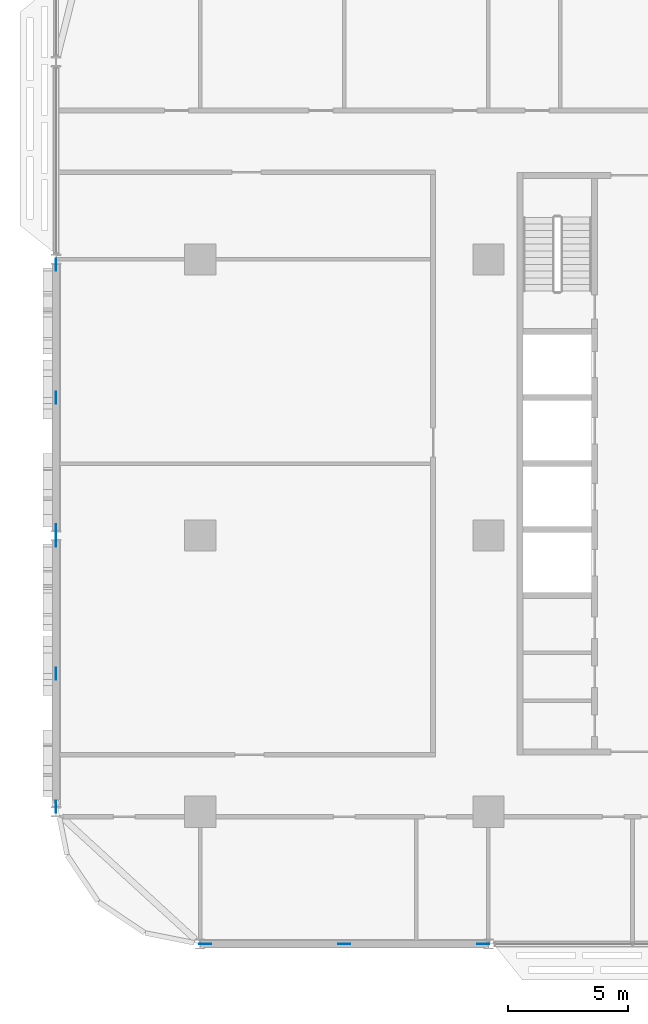
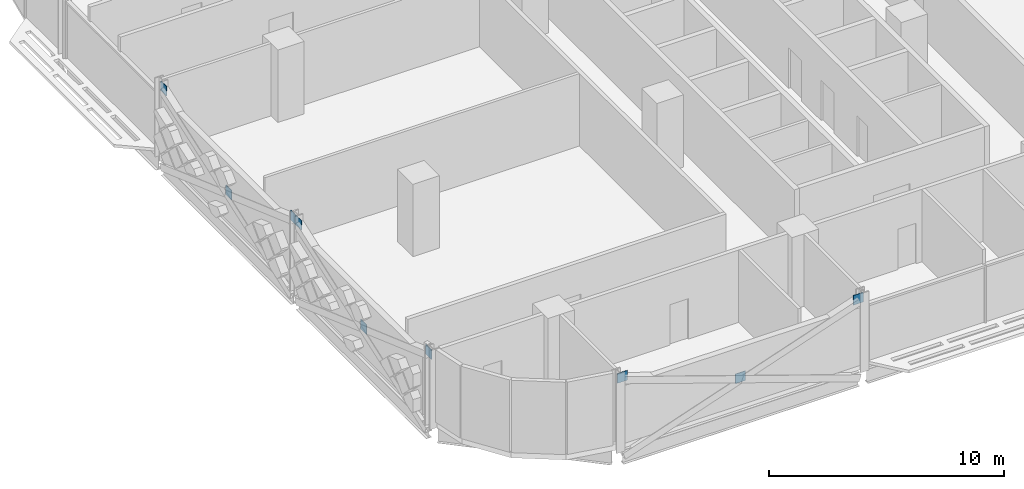
# One storey, part 20 of 29: 9 discrete accessories.
"""IFC4 building model written with IfcOpenShell, lengths in metres."""

import ifcopenshell
import ifcopenshell.guid

model = None  # the IFC model being written
_history = None  # IfcOwnerHistory: only IFC2X3 demands one
_inside = {}  # id of a spatial element -> (the spatial element, [elements in it])
_under = {}  # id of a project, library or spatial element -> (it, [spatial elements below it])
_declared = {}  # id of a project -> (the project, [libraries it declares])
_typed = {}  # id of a type object -> (the type object, [elements of that type])
_made_of = {}  # id of a material, layer set ... -> (it, [elements and type objects made of it])


def new_model(schema):
    """Start an empty IFC model of exactly this schema.

    Asked for "IFC4X3", IfcOpenShell would pick the latest addendum, in which some entities
    have other attributes; the version numbers below select the first issue.
    IFC2X3 requires an IfcOwnerHistory on every rooted entity: one is made here for all.
    """
    global model, _history
    if schema == "IFC4X3":
        model = ifcopenshell.file(schema_version=(4, 3, 0, 0))
    else:
        model = ifcopenshell.file(schema=schema)
    _inside.clear()
    _under.clear()
    _declared.clear()
    _typed.clear()
    _made_of.clear()
    _history = None
    if model.schema == "IFC2X3":
        org = make("IfcOrganization", Name="unknown")
        user = make(
            "IfcPersonAndOrganization",
            ThePerson=make("IfcPerson", FamilyName="unknown"),
            TheOrganization=org,
        )
        app = make(
            "IfcApplication",
            ApplicationDeveloper=org,
            Version="unknown",
            ApplicationFullName="unknown",
            ApplicationIdentifier="unknown",
        )
        _history = make(
            "IfcOwnerHistory",
            OwningUser=user,
            OwningApplication=app,
            ChangeAction="ADDED",
            CreationDate=0,
        )
    return model


def make(cls, **values):
    """One entity of the class cls with the attributes given. An attribute that is None is left unset."""
    return model.create_entity(
        cls, **{name: value for name, value in values.items() if value is not None}
    )


def rooted(cls, **values):
    """An entity with a GlobalId (a new one), such as an element, a storey or a relation."""
    return make(cls, GlobalId=ifcopenshell.guid.new(), OwnerHistory=_history, **values)


def si_unit(unit_type, name, prefix=None):
    """IfcSIUnit, for example si_unit("LENGTHUNIT", "METRE", prefix="MILLI")."""
    return make("IfcSIUnit", UnitType=unit_type, Prefix=prefix, Name=name)


def assignment(units):
    """IfcUnitAssignment: the units of a project."""
    return None if units is None else make("IfcUnitAssignment", Units=units)


def point(xyz):
    """IfcCartesianPoint."""
    return None if xyz is None else make("IfcCartesianPoint", Coordinates=xyz)


def direction(xyz):
    """IfcDirection."""
    return None if xyz is None else make("IfcDirection", DirectionRatios=xyz)


def frame(location, z_axis=None, x_axis=None):
    """IfcAxis2Placement3D, a coordinate frame: its origin and axes. An axis left out is left unset."""
    return make(
        "IfcAxis2Placement3D",
        Location=point(location),
        Axis=direction(z_axis),
        RefDirection=direction(x_axis),
    )


def frame_2d(location, x_axis=None):
    """IfcAxis2Placement2D, a coordinate frame in the plane: its origin and x axis."""
    return make(
        "IfcAxis2Placement2D", Location=point(location), RefDirection=direction(x_axis)
    )


def origin():
    """The frame at (0, 0, 0) with its axes left unset."""
    return frame((0.0, 0.0, 0.0))


def origin_2d():
    """The frame at (0, 0) in the plane with its x axis left unset."""
    return frame_2d((0.0, 0.0))


def place(relative_to, where):
    """IfcLocalPlacement: puts the frame where relative to a parent placement (None: the world)."""
    return make(
        "IfcLocalPlacement", PlacementRelTo=relative_to, RelativePlacement=where
    )


def context(
    kind, dimensions, precision=None, world=None, true_north=None, identifier=None
):
    """IfcGeometricRepresentationContext, for example the 3D "Model" context."""
    return make(
        "IfcGeometricRepresentationContext",
        ContextIdentifier=identifier,
        ContextType=kind,
        CoordinateSpaceDimension=dimensions,
        Precision=precision,
        WorldCoordinateSystem=world,
        TrueNorth=true_north,
    )


def subcontext(parent, identifier, kind, view, scale=None):
    """IfcGeometricRepresentationSubContext, for example "Body" below "Model"."""
    return make(
        "IfcGeometricRepresentationSubContext",
        ContextIdentifier=identifier,
        ContextType=kind,
        ParentContext=parent,
        TargetScale=scale,
        TargetView=view,
    )


def project(units=None, contexts=None):
    """IfcProject with its units and contexts."""
    return rooted(
        "IfcProject",
        Name="project",
        RepresentationContexts=contexts,
        UnitsInContext=assignment(units),
    )


def spatial(cls, under=None, at=None, **own):
    """A site, building, storey or space (cls), placed at a placement, below another one or the project."""
    s = rooted(cls, ObjectPlacement=at, **own)
    if under is not None:
        _under.setdefault(under.id(), (under, []))[1].append(s)
    return s


def profile(cls, at=None, kind="AREA", **sizes):
    """A parametric profile (cls). Its sizes go by their IFC names, for example OverallWidth=200.0."""
    return make(cls, ProfileType=kind, Position=at, **sizes)


def rectangle(**sizes):
    """IfcRectangleProfileDef."""
    return profile("IfcRectangleProfileDef", **sizes)


def extrude(swept, where, along, depth):
    """IfcExtrudedAreaSolid: the profile swept, set in the frame where, extruded along a direction by depth."""
    return make(
        "IfcExtrudedAreaSolid",
        SweptArea=swept,
        Position=where,
        ExtrudedDirection=direction(along),
        Depth=depth,
    )


def shape(context_of_items, identifier, shape_type, items):
    """IfcShapeRepresentation: the items that make up one representation, for example the "Body"."""
    return make(
        "IfcShapeRepresentation",
        ContextOfItems=context_of_items,
        RepresentationIdentifier=identifier,
        RepresentationType=shape_type,
        Items=items,
    )


def material(Name=None, Category=None):
    """IfcMaterial."""
    return make("IfcMaterial", Name=Name, Category=Category)


def layer(
    of_material, thickness, ventilated=None, Name=None, Category=None, Priority=None
):
    """IfcMaterialLayer: one layer of a wall or slab, of a material (None: an air gap)."""
    return make(
        "IfcMaterialLayer",
        Material=of_material,
        LayerThickness=thickness,
        IsVentilated=ventilated,
        Name=Name,
        Category=Category,
        Priority=Priority,
    )


def layer_set(layers, Name=None):
    """IfcMaterialLayerSet."""
    return make("IfcMaterialLayerSet", MaterialLayers=layers, LayerSetName=Name)


def made_of(thing, what):
    """Note that an element or type object is made of a material, layer set ...; save() writes the relation."""
    if what is not None:
        _made_of.setdefault(what.id(), (what, []))[1].append(thing)
    return thing


def type_object(cls, material=None, **own):
    """A type object (cls), such as IfcWallType, which elements share."""
    return made_of(rooted(cls, **own), material)


def element(
    cls,
    number,
    at=None,
    inside=None,
    cuts=None,
    type_object=None,
    material=None,
    context=None,
    identifier="Body",
    shape_type=None,
    held_by="IfcProductDefinitionShape",
    body=None,
    shapes=None,
    **own,
):
    """One element of the class cls, such as IfcWall. Its Tag is "e" and its number.

    at: its placement. inside: the storey or other place that contains it. cuts: it is an
    opening in that element (IfcRelVoidsElement). A single representation is given by context,
    identifier, shape_type and body (its items); several are given by shapes. held_by: the class
    of the entity that holds the representations. save() writes the other relations.
    """
    e = rooted(cls, Tag="e%d" % number, ObjectPlacement=at, **own)
    if body is not None:
        shapes = [shape(context, identifier, shape_type, body)]
    if shapes is not None:
        e.Representation = make(held_by, Representations=shapes)
    if inside is not None:
        _inside.setdefault(inside.id(), (inside, []))[1].append(e)
    if cuts is not None:
        rooted(
            "IfcRelVoidsElement", RelatingBuildingElement=cuts, RelatedOpeningElement=e
        )
    if type_object is not None:
        _typed.setdefault(type_object.id(), (type_object, []))[1].append(e)
    return made_of(e, material)


def aggregate(whole, parts):
    """IfcRelAggregates: a whole, such as a stair, and the parts it consists of."""
    return rooted("IfcRelAggregates", RelatingObject=whole, RelatedObjects=parts)


def save(model, path):
    """Write the relations noted so far, then the file.

    IfcRelAggregates (storeys below a building ...), IfcRelContainedInSpatialStructure (elements
    in a storey), IfcRelDefinesByType, IfcRelAssociatesMaterial and IfcRelDeclares: one each for
    every whole, place, type object, material and project.
    """
    for whole, parts in _under.values():
        aggregate(whole, parts)
    for where, things in _inside.values():
        rooted(
            "IfcRelContainedInSpatialStructure",
            RelatedElements=things,
            RelatingStructure=where,
        )
    for kind, things in _typed.values():
        rooted("IfcRelDefinesByType", RelatedObjects=things, RelatingType=kind)
    for what, things in _made_of.values():
        rooted("IfcRelAssociatesMaterial", RelatedObjects=things, RelatingMaterial=what)
    for by, libraries in _declared.values():
        rooted("IfcRelDeclares", RelatingContext=by, RelatedDefinitions=libraries)
    model.write(path)


model = new_model("IFC4")

# Units and contexts
model_context = context("Model", 3, precision=1e-05, world=origin(), true_north=direction((0.0, 1.0)))
body_context = subcontext(model_context, "Body", "Model", "MODEL_VIEW")
ifc_project = project(units=[si_unit("LENGTHUNIT", "METRE"), si_unit("AREAUNIT", "SQUARE_METRE"), si_unit("VOLUMEUNIT", "CUBIC_METRE"), si_unit("PLANEANGLEUNIT", "RADIAN"), si_unit("MASSUNIT", "GRAM", prefix="KILO")], contexts=[model_context])

# Site, building, storey
site_placement = place(None, origin())
site = spatial("IfcSite", under=ifc_project, at=site_placement, CompositionType="ELEMENT")
building_placement = place(site_placement, origin())
building = spatial("IfcBuilding", under=site, at=building_placement, Name="Mahtab Terrace Research Tower", CompositionType="ELEMENT")
storey_placement = place(building_placement, frame((0.0, 0.0, 142.5)))
storey = spatial("IfcBuildingStorey", under=building, at=storey_placement, Name="L33", CompositionType="ELEMENT", Elevation=142.5)

# Discrete accessories
ifc_material = material(Name="Steel ASTM A992 Gr 50", Category="steel")
ifc_layer = layer(ifc_material, 0.030029296875)
ifc_layer_set = layer_set([ifc_layer], Name="Gusset plate 500x500x30")
discrete_accessory_type = type_object("IfcDiscreteAccessoryType", Name="Gusset plate 500x500x30", PredefinedType="USERDEFINED", material=ifc_layer_set)
for number, where, z_axis, x_axis, name in (
    (1, (-41.794189453125, -17.0, 3.131591796875), (0.0, 0.0, 1.0), (1.0, 0.0, 0.0), "Gusset plate"),
    (2, (-36.0, -17.0, 1.08154296875), (0.0, 0.0, 1.0), (1.0, 0.0, 0.0), "Gusset plate"),
    (3, (-30.205810546875, -17.0, 3.131591796875), (0.0, 0.0, 1.0), (1.0, 0.0, 0.0), "Gusset plate"),
    (4, (-48.0, -11.28271484375, 3.131591796875), (0.0, 0.0, 1.0), (0.0, 1.0, 0.0), "Gusset plate"),
    (5, (-48.0, -5.75, 1.08154296875), (0.0, 0.0, 1.0), (0.0, 1.0, 0.0), "Gusset plate"),
    (6, (-48.0, -0.21728515625, 3.131591796875), (0.0, 0.0, 1.0), (0.0, 1.0, 0.0), "Gusset plate"),
    (7, (-48.0, 0.21728515625, 3.131591796875), (0.0, 0.0, 1.0), (0.0, 1.0, 0.0), "Gusset plate"),
    (8, (-48.0, 5.75, 1.08154296875), (0.0, 0.0, 1.0), (0.0, 1.0, 0.0), "Gusset plate"),
    (9, (-48.0, 11.28271484375, 3.131591796875), (0.0, 0.0, 1.0), (0.0, 1.0, 0.0), "Gusset plate"),
):
    element("IfcDiscreteAccessory", number, at=place(storey_placement, frame(where, z_axis=z_axis, x_axis=x_axis)), inside=storey, type_object=discrete_accessory_type, Name=name, ObjectType="GUSSET PLATE", PredefinedType="USERDEFINED", context=body_context, shape_type="SweptSolid", body=[
        extrude(rectangle(XDim=0.5, YDim=0.030029296875, at=origin_2d()), origin(), (0.0, 0.0, 1.0), 0.5),
    ])

save(model, "model.ifc")
